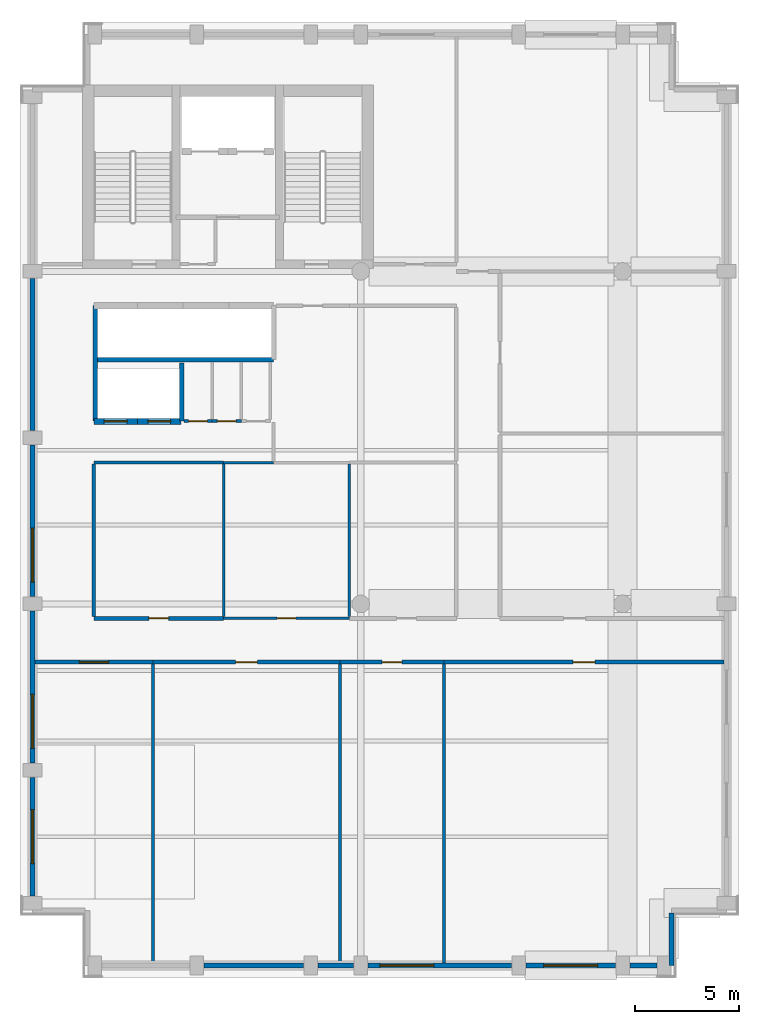
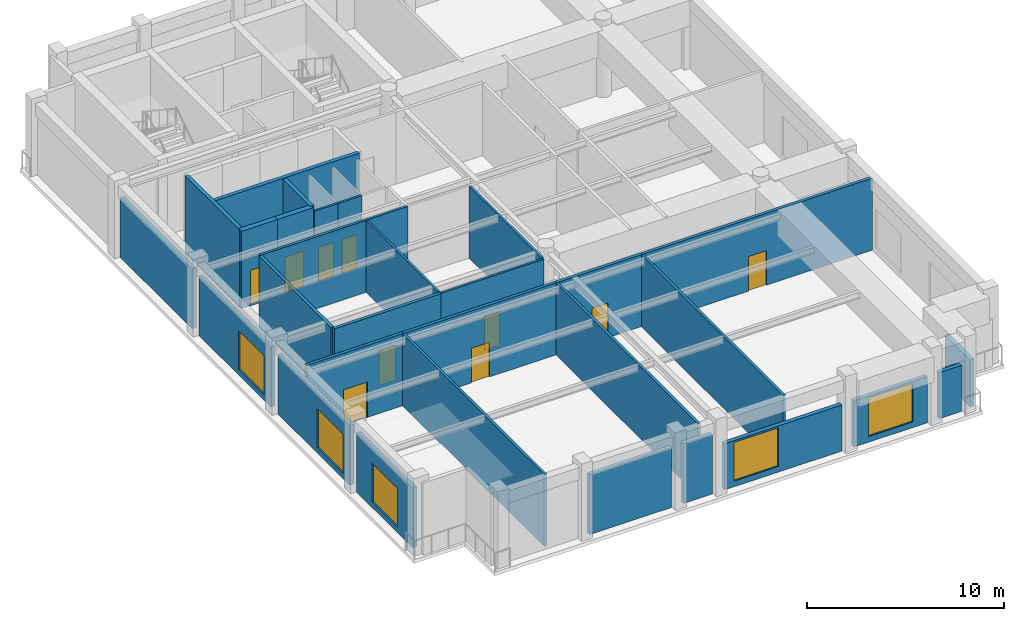
# One storey, part 2 of 6: 31 walls, 10 doors, 5 windows, 15 openings.
"""IFC4 building model written with IfcOpenShell, lengths in metres."""

from ifc_helpers import new_model, si_unit, direction, frame, frame_2d, origin, place, context, subcontext, project, spatial, rectangle, extrude, material, layer, layer_set, type_object, element, fill, save


model = new_model("IFC4")

# Units and contexts
model_context = context("Model", 3, precision=1e-05, world=origin(), true_north=direction((0.0, 1.0)))
body_context = subcontext(model_context, "Body", "Model", "MODEL_VIEW")
ifc_project = project(units=[si_unit("LENGTHUNIT", "METRE"), si_unit("AREAUNIT", "SQUARE_METRE"), si_unit("VOLUMEUNIT", "CUBIC_METRE"), si_unit("PLANEANGLEUNIT", "RADIAN"), si_unit("MASSUNIT", "GRAM", prefix="KILO")], contexts=[model_context])

# Site, building, storey
site_placement = place(None, origin())
site = spatial("IfcSite", under=ifc_project, at=site_placement, CompositionType="ELEMENT")
building_placement = place(site_placement, origin())
building = spatial("IfcBuilding", under=site, at=building_placement, Name="Sulina Concourse Tower", CompositionType="ELEMENT")
storey_placement = place(building_placement, frame((0.0, 0.0, 313.0)))
storey = spatial("IfcBuildingStorey", under=building, at=storey_placement, Name="L76", CompositionType="ELEMENT", Elevation=313.0)

# Walls
ifc_material_1 = material(Name="Concrete C50/60", Category="concrete")
ifc_layer_1 = layer(ifc_material_1, 0.219970703125)
ifc_layer_set_1 = layer_set([ifc_layer_1], Name="Concrete C50/60")
wall_type_1 = type_object("IfcWallType", Name="Core Lift Hoistway Divider Wall 220mm", PredefinedType="SOLIDWALL", material=ifc_layer_set_1)
wall_1_placement = place(storey_placement, frame((3.550048828125, 29.75, 0.0), z_axis=(0.0, 0.0, 1.0), x_axis=(1.0, 0.0, 0.0)))
element("IfcWall", 1, at=wall_1_placement, inside=storey, type_object=wall_type_1, Name="L76 shaft divider wall HW-LP3-S", PredefinedType="SOLIDWALL", context=body_context, shape_type="SweptSolid", body=[
    extrude(rectangle(XDim=8.64990234375, YDim=0.219970703125, at=frame_2d((4.324951171875, 0.0))), origin(), (0.0, 0.0, 1.0), 4.800048828125),
])
wall_2_placement = place(storey_placement, frame((3.6298828125, 26.800048828125, 0.0), z_axis=(0.0, 0.0, 1.0), x_axis=(0.0, 1.0, 0.0)))
element("IfcWall", 2, at=wall_2_placement, inside=storey, type_object=wall_type_1, Name="L76 shaft divider wall HW-LP3-W", PredefinedType="SOLIDWALL", context=body_context, shape_type="SweptSolid", body=[
    extrude(rectangle(XDim=5.550048828125, YDim=0.219970703125, at=frame_2d((2.77490234375, 0.0))), origin(), (0.0, 0.0, 1.0), 4.800048828125),
])
wall_3_placement = place(storey_placement, frame((7.780029296875, 26.800048828125, 0.0), z_axis=(0.0, 0.0, 1.0), x_axis=(0.0, 1.0, 0.0)))
element("IfcWall", 3, at=wall_3_placement, inside=storey, type_object=wall_type_1, Name="L76 shaft divider wall HW-EXP-E", PredefinedType="SOLIDWALL", context=body_context, shape_type="SweptSolid", body=[
    extrude(rectangle(XDim=2.800048828125, YDim=0.219970703125, at=frame_2d((1.39990234375, 0.0))), origin(), (0.0, 0.0, 1.0), 4.800048828125),
])

# Wall, opening, door
ifc_material_2 = material(Name="Concrete C50/60", Category="concrete")
ifc_layer_2 = layer(ifc_material_2, 0.300048828125)
ifc_layer_set_2 = layer_set([ifc_layer_2], Name="Concrete C50/60")
wall_type_2 = type_object("IfcWallType", Name="Core Lift Hoistway Wall 300mm", PredefinedType="SOLIDWALL", material=ifc_layer_set_2)
wall_4_placement = place(storey_placement, frame((5.64990234375, 26.780029296875, 0.0), z_axis=(0.0, 0.0, 1.0), x_axis=(-1.0, 0.0, 0.0)))
wall_4 = element("IfcWall", 4, at=wall_4_placement, inside=storey, type_object=wall_type_2, Name="L76 hoistway enclosure wall EXP-1", PredefinedType="SOLIDWALL", context=body_context, shape_type="SweptSolid", body=[
    extrude(rectangle(XDim=2.099853515625, YDim=0.300048828125, at=frame_2d((1.0498046875, 0.0))), origin(), (0.0, 0.0, 1.0), 4.800048828125),
])
opening_1_placement = place(wall_4_placement, frame((0.5, 0.0, 0.0)))
opening_1 = element("IfcOpeningElement", 5, at=opening_1_placement, cuts=wall_4, Name="Opening LD-01", PredefinedType="OPENING", context=body_context, shape_type="SweptSolid", body=[
    extrude(rectangle(XDim=1.10009765625, YDim=2.199951171875, at=frame_2d((0.550048828125, 1.10009765625))), frame((0.0, 0.159912109375, 0.0), z_axis=(0.0, -1.0, 0.0), x_axis=(1.0, 0.0, 0.0)), (0.0, 0.0, 1.0), 0.320068359375),
])
ifc_material_3 = material(Name="Stainless steel lift landing door", Category="steel")
ifc_layer_3 = layer(ifc_material_3, 0.050048828125)
ifc_layer_set_3 = layer_set([ifc_layer_3], Name="Stainless steel lift landing door")
door_type_1 = type_object("IfcDoorType", Name="Passenger Lift Sliding Landing Door 1100x2200", OperationType="SLIDING_TO_LEFT", PredefinedType="DOOR", material=ifc_layer_set_3)
door_1_placement = place(opening_1_placement, origin())
door_1 = element("IfcDoor", 6, at=door_1_placement, inside=storey, type_object=door_type_1, Name="L76 lift landing sliding door EXP-1", OperationType="SLIDING_TO_LEFT", OverallHeight=2.199951171875, OverallWidth=1.10009765625, PredefinedType="DOOR", context=body_context, shape_type="SweptSolid", body=[
    extrude(rectangle(XDim=1.10009765625, YDim=2.199951171875, at=frame_2d((0.550048828125, 1.10009765625))), frame((0.0, 0.02490234375, 0.0), z_axis=(0.0, -1.0, 0.0), x_axis=(1.0, 0.0, 0.0)), (0.0, 0.0, 1.0), 0.050048828125),
])
fill(opening_1, door_1)

wall_5_placement = place(storey_placement, frame((7.75, 26.780029296875, 0.0), z_axis=(0.0, 0.0, 1.0), x_axis=(-1.0, 0.0, 0.0)))
wall_5 = element("IfcWall", 7, at=wall_5_placement, inside=storey, type_object=wall_type_2, Name="L76 hoistway enclosure wall EXP-2", PredefinedType="SOLIDWALL", context=body_context, shape_type="SweptSolid", body=[
    extrude(rectangle(XDim=2.10009765625, YDim=0.300048828125, at=frame_2d((1.050048828125, 0.0))), origin(), (0.0, 0.0, 1.0), 4.800048828125),
])
opening_2_placement = place(wall_5_placement, frame((0.5, 0.0, 0.0)))
opening_2 = element("IfcOpeningElement", 8, at=opening_2_placement, cuts=wall_5, Name="Opening LD-01", PredefinedType="OPENING", context=body_context, shape_type="SweptSolid", body=[
    extrude(rectangle(XDim=1.10009765625, YDim=2.199951171875, at=frame_2d((0.550048828125, 1.10009765625))), frame((0.0, 0.159912109375, 0.0), z_axis=(0.0, -1.0, 0.0), x_axis=(1.0, 0.0, 0.0)), (0.0, 0.0, 1.0), 0.320068359375),
])
door_2_placement = place(opening_2_placement, origin())
door_2 = element("IfcDoor", 9, at=door_2_placement, inside=storey, type_object=door_type_1, Name="L76 lift landing sliding door EXP-2", OperationType="SLIDING_TO_RIGHT", OverallHeight=2.199951171875, OverallWidth=1.10009765625, PredefinedType="DOOR", context=body_context, shape_type="SweptSolid", body=[
    extrude(rectangle(XDim=1.10009765625, YDim=2.199951171875, at=frame_2d((0.550048828125, 1.10009765625))), frame((0.0, 0.02490234375, 0.0), z_axis=(0.0, -1.0, 0.0), x_axis=(1.0, 0.0, 0.0)), (0.0, 0.0, 1.0), 0.050048828125),
])
fill(opening_2, door_2)

# Walls
ifc_material_4 = material(Name="Precast concrete C50/60", Category="concrete")
ifc_layer_4 = layer(ifc_material_4, 0.239990234375)
ifc_layer_set_4 = layer_set([ifc_layer_4], Name="Precast concrete C50/60")
wall_type_3 = type_object("IfcWallType", Name="Crown Precast Masonry-Frame Facade Wall 240mm", PredefinedType="SOLIDWALL", material=ifc_layer_set_4)
wall_6_placement = place(storey_placement, frame((13.655029296875, 0.60009765625, 0.0), z_axis=(0.0, 0.0, 1.0), x_axis=(-1.0, 0.0, 0.0)))
element("IfcWall", 10, at=wall_6_placement, inside=storey, type_object=wall_type_3, Name="L76 exterior precast wall S2", PredefinedType="SOLIDWALL", context=body_context, shape_type="SweptSolid", body=[
    extrude(rectangle(XDim=4.81005859375, YDim=0.239990234375, at=frame_2d((2.405029296875, 0.0))), origin(), (0.0, 0.0, 1.0), 3.7099609375),
])
wall_7_placement = place(storey_placement, frame((16.054931640625, 0.60009765625, 0.0), z_axis=(0.0, 0.0, 1.0), x_axis=(-1.0, 0.0, 0.0)))
element("IfcWall", 11, at=wall_7_placement, inside=storey, type_object=wall_type_3, Name="L76 exterior precast wall S3", PredefinedType="SOLIDWALL", context=body_context, shape_type="SweptSolid", body=[
    extrude(rectangle(XDim=1.7099609375, YDim=0.239990234375, at=frame_2d((0.85498046875, 0.0))), origin(), (0.0, 0.0, 1.0), 3.7099609375),
])

# Wall, opening, window
wall_8_placement = place(storey_placement, frame((23.655029296875, 0.60009765625, 0.0), z_axis=(0.0, 0.0, 1.0), x_axis=(-1.0, 0.0, 0.0)))
wall_8 = element("IfcWall", 12, at=wall_8_placement, inside=storey, type_object=wall_type_3, Name="L76 exterior precast wall S4", PredefinedType="SOLIDWALL", context=body_context, shape_type="SweptSolid", body=[
    extrude(rectangle(XDim=6.909912109375, YDim=0.239990234375, at=frame_2d((3.455078125, 0.0))), origin(), (0.0, 0.0, 1.0), 2.860107421875),
])
opening_3_placement = place(wall_8_placement, frame((3.739990234375, 0.0, 0.35009765625)))
opening_3 = element("IfcOpeningElement", 13, at=opening_3_placement, cuts=wall_8, Name="Opening WN-68", PredefinedType="OPENING", context=body_context, shape_type="SweptSolid", body=[
    extrude(rectangle(XDim=2.60009765625, YDim=2.39990234375, at=frame_2d((1.300048828125, 1.199951171875))), frame((0.0, 0.1298828125, 0.0), z_axis=(0.0, -1.0, 0.0), x_axis=(1.0, 0.0, 0.0)), (0.0, 0.0, 1.0), 0.260009765625),
])
ifc_material_5 = material(Name="Low-E solar double glazing in bronze aluminium", Category="aluminium")
window_type = type_object("IfcWindowType", Name="Crown Observation Picture Window 2600x2400", PartitioningType="DOUBLE_PANEL_VERTICAL", PredefinedType="WINDOW", material=ifc_material_5)
window_1_placement = place(opening_3_placement, origin())
window_1 = element("IfcWindow", 14, at=window_1_placement, inside=storey, type_object=window_type, Name="L76 punched window S4-1", OverallHeight=2.39990234375, OverallWidth=2.60009765625, PartitioningType="SINGLE_PANEL", PredefinedType="WINDOW", context=body_context, shape_type="SweptSolid", body=[
    extrude(rectangle(XDim=2.60009765625, YDim=2.39990234375, at=frame_2d((1.300048828125, 1.199951171875))), frame((0.0, 0.030029296875, 0.0), z_axis=(0.0, -1.0, 0.0), x_axis=(1.0, 0.0, 0.0)), (0.0, 0.0, 1.0), 0.06005859375),
])
fill(opening_3, window_1)

wall_9_placement = place(storey_placement, frame((28.655029296875, 0.60009765625, 0.0), z_axis=(0.0, 0.0, 1.0), x_axis=(-1.0, 0.0, 0.0)))
wall_9 = element("IfcWall", 15, at=wall_9_placement, inside=storey, type_object=wall_type_3, Name="L76 exterior precast wall S5", PredefinedType="SOLIDWALL", context=body_context, shape_type="SweptSolid", body=[
    extrude(rectangle(XDim=4.31005859375, YDim=0.239990234375, at=frame_2d((2.155029296875, 0.0))), origin(), (0.0, 0.0, 1.0), 2.860107421875),
])
opening_4_placement = place(wall_9_placement, frame((0.85498046875, 0.0, 0.35009765625)))
opening_4 = element("IfcOpeningElement", 16, at=opening_4_placement, cuts=wall_9, Name="Opening WN-68", PredefinedType="OPENING", context=body_context, shape_type="SweptSolid", body=[
    extrude(rectangle(XDim=2.60009765625, YDim=2.39990234375, at=frame_2d((1.300048828125, 1.199951171875))), frame((0.0, 0.1298828125, 0.0), z_axis=(0.0, -1.0, 0.0), x_axis=(1.0, 0.0, 0.0)), (0.0, 0.0, 1.0), 0.260009765625),
])
window_2_placement = place(opening_4_placement, origin())
window_2 = element("IfcWindow", 17, at=window_2_placement, inside=storey, type_object=window_type, Name="L76 punched window S5-1", OverallHeight=2.39990234375, OverallWidth=2.60009765625, PartitioningType="SINGLE_PANEL", PredefinedType="WINDOW", context=body_context, shape_type="SweptSolid", body=[
    extrude(rectangle(XDim=2.60009765625, YDim=2.39990234375, at=frame_2d((1.300048828125, 1.199951171875))), frame((0.0, 0.030029296875, 0.0), z_axis=(0.0, -1.0, 0.0), x_axis=(1.0, 0.0, 0.0)), (0.0, 0.0, 1.0), 0.06005859375),
])
fill(opening_4, window_2)

# Wall
wall_10_placement = place(storey_placement, frame((30.655029296875, 0.60009765625, 0.0), z_axis=(0.0, 0.0, 1.0), x_axis=(-1.0, 0.0, 0.0)))
element("IfcWall", 18, at=wall_10_placement, inside=storey, type_object=wall_type_3, Name="L76 exterior precast wall S6", PredefinedType="SOLIDWALL", context=body_context, shape_type="SweptSolid", body=[
    extrude(rectangle(XDim=1.31005859375, YDim=0.239990234375, at=frame_2d((0.655029296875, 0.0))), origin(), (0.0, 0.0, 1.0), 2.860107421875),
])

# Wall, opening, window
wall_11_placement = place(storey_placement, frame((0.60009765625, 3.945068359375, 0.0), z_axis=(0.0, 0.0, 1.0), x_axis=(0.0, 1.0, 0.0)))
wall_11 = element("IfcWall", 19, at=wall_11_placement, inside=storey, type_object=wall_type_3, Name="L76 exterior precast wall W1", PredefinedType="SOLIDWALL", context=body_context, shape_type="SweptSolid", body=[
    extrude(rectangle(XDim=5.7099609375, YDim=0.239990234375, at=frame_2d((2.85498046875, 0.0))), origin(), (0.0, 0.0, 1.0), 3.7099609375),
])
opening_5_placement = place(wall_11_placement, frame((1.554931640625, 0.0, 0.35009765625)))
opening_5 = element("IfcOpeningElement", 20, at=opening_5_placement, cuts=wall_11, Name="Opening WN-68", PredefinedType="OPENING", context=body_context, shape_type="SweptSolid", body=[
    extrude(rectangle(XDim=2.60009765625, YDim=2.39990234375, at=frame_2d((1.300048828125, 1.199951171875))), frame((0.0, 0.1298828125, 0.0), z_axis=(0.0, -1.0, 0.0), x_axis=(1.0, 0.0, 0.0)), (0.0, 0.0, 1.0), 0.260009765625),
])
window_3_placement = place(opening_5_placement, origin())
window_3 = element("IfcWindow", 21, at=window_3_placement, inside=storey, type_object=window_type, Name="L76 punched window W1-1", OverallHeight=2.39990234375, OverallWidth=2.60009765625, PartitioningType="SINGLE_PANEL", PredefinedType="WINDOW", context=body_context, shape_type="SweptSolid", body=[
    extrude(rectangle(XDim=2.60009765625, YDim=2.39990234375, at=frame_2d((1.300048828125, 1.199951171875))), frame((0.0, 0.030029296875, 0.0), z_axis=(0.0, -1.0, 0.0), x_axis=(1.0, 0.0, 0.0)), (0.0, 0.0, 1.0), 0.06005859375),
])
fill(opening_5, window_3)

wall_12_placement = place(storey_placement, frame((0.60009765625, 10.344970703125, 0.0), z_axis=(0.0, 0.0, 1.0), x_axis=(0.0, 1.0, 0.0)))
wall_12 = element("IfcWall", 22, at=wall_12_placement, inside=storey, type_object=wall_type_3, Name="L76 exterior precast wall W2", PredefinedType="SOLIDWALL", context=body_context, shape_type="SweptSolid", body=[
    extrude(rectangle(XDim=7.31005859375, YDim=0.239990234375, at=frame_2d((3.655029296875, 0.0))), origin(), (0.0, 0.0, 1.0), 3.7099609375),
])
opening_6_placement = place(wall_12_placement, frame((0.703369140625, 0.0, 0.35009765625)))
opening_6 = element("IfcOpeningElement", 23, at=opening_6_placement, cuts=wall_12, Name="Opening WN-68", PredefinedType="OPENING", context=body_context, shape_type="SweptSolid", body=[
    extrude(rectangle(XDim=2.60009765625, YDim=2.39990234375, at=frame_2d((1.300048828125, 1.199951171875))), frame((0.0, 0.1298828125, 0.0), z_axis=(0.0, -1.0, 0.0), x_axis=(1.0, 0.0, 0.0)), (0.0, 0.0, 1.0), 0.260009765625),
])
window_4_placement = place(opening_6_placement, origin())
window_4 = element("IfcWindow", 24, at=window_4_placement, inside=storey, type_object=window_type, Name="L76 punched window W2-1", OverallHeight=2.39990234375, OverallWidth=2.60009765625, PartitioningType="SINGLE_PANEL", PredefinedType="WINDOW", context=body_context, shape_type="SweptSolid", body=[
    extrude(rectangle(XDim=2.60009765625, YDim=2.39990234375, at=frame_2d((1.300048828125, 1.199951171875))), frame((0.0, 0.030029296875, 0.0), z_axis=(0.0, -1.0, 0.0), x_axis=(1.0, 0.0, 0.0)), (0.0, 0.0, 1.0), 0.06005859375),
])
fill(opening_6, window_4)

wall_13_placement = place(storey_placement, frame((0.60009765625, 18.344970703125, 0.0), z_axis=(0.0, 0.0, 1.0), x_axis=(0.0, 1.0, 0.0)))
wall_13 = element("IfcWall", 25, at=wall_13_placement, inside=storey, type_object=wall_type_3, Name="L76 exterior precast wall W3", PredefinedType="SOLIDWALL", context=body_context, shape_type="SweptSolid", body=[
    extrude(rectangle(XDim=7.31005859375, YDim=0.239990234375, at=frame_2d((3.655029296875, 0.0))), origin(), (0.0, 0.0, 1.0), 3.7099609375),
])
opening_7_placement = place(wall_13_placement, frame((0.703369140625, 0.0, 0.35009765625)))
opening_7 = element("IfcOpeningElement", 26, at=opening_7_placement, cuts=wall_13, Name="Opening WN-68", PredefinedType="OPENING", context=body_context, shape_type="SweptSolid", body=[
    extrude(rectangle(XDim=2.60009765625, YDim=2.39990234375, at=frame_2d((1.300048828125, 1.199951171875))), frame((0.0, 0.1298828125, 0.0), z_axis=(0.0, -1.0, 0.0), x_axis=(1.0, 0.0, 0.0)), (0.0, 0.0, 1.0), 0.260009765625),
])
window_5_placement = place(opening_7_placement, origin())
window_5 = element("IfcWindow", 27, at=window_5_placement, inside=storey, type_object=window_type, Name="L76 punched window W3-1", OverallHeight=2.39990234375, OverallWidth=2.60009765625, PartitioningType="SINGLE_PANEL", PredefinedType="WINDOW", context=body_context, shape_type="SweptSolid", body=[
    extrude(rectangle(XDim=2.60009765625, YDim=2.39990234375, at=frame_2d((1.300048828125, 1.199951171875))), frame((0.0, 0.030029296875, 0.0), z_axis=(0.0, -1.0, 0.0), x_axis=(1.0, 0.0, 0.0)), (0.0, 0.0, 1.0), 0.06005859375),
])
fill(opening_7, window_5)

# Walls
wall_14_placement = place(storey_placement, frame((0.60009765625, 26.344970703125, 0.0), z_axis=(0.0, 0.0, 1.0), x_axis=(0.0, 1.0, 0.0)))
element("IfcWall", 28, at=wall_14_placement, inside=storey, type_object=wall_type_3, Name="L76 exterior precast wall W4", PredefinedType="SOLIDWALL", context=body_context, shape_type="SweptSolid", body=[
    extrude(rectangle(XDim=7.31005859375, YDim=0.239990234375, at=frame_2d((3.655029296875, 0.0))), origin(), (0.0, 0.0, 1.0), 3.7099609375),
])
wall_15_placement = place(storey_placement, frame((31.344970703125, 3.1298828125, 0.0), z_axis=(0.0, 0.0, 1.0), x_axis=(0.0, -1.0, 0.0)))
element("IfcWall", 29, at=wall_15_placement, inside=storey, type_object=wall_type_3, Name="L76 exterior precast wall CSE2", PredefinedType="SOLIDWALL", context=body_context, shape_type="SweptSolid", body=[
    extrude(rectangle(XDim=2.52978515625, YDim=0.239990234375, at=frame_2d((1.264892578125, 0.0))), origin(), (0.0, 0.0, 1.0), 2.929931640625),
])
ifc_material_6 = material(Name="Gypsum board on steel stud", Category="steel")
ifc_layer_5 = layer(ifc_material_6, 0.14990234375)
ifc_layer_set_5 = layer_set([ifc_layer_5], Name="Gypsum board on steel stud")
wall_type_4 = type_object("IfcWallType", Name="Inter-Tenancy Acoustic Partition 150mm", PredefinedType="PARTITIONING", material=ifc_layer_set_5)
wall_16_placement = place(storey_placement, frame((3.550048828125, 24.800048828125, 0.0), z_axis=(0.0, 0.0, 1.0), x_axis=(1.0, 0.0, 0.0)))
element("IfcWall", 30, at=wall_16_placement, inside=storey, type_object=wall_type_4, Name="L76 interior partition 009", PredefinedType="PARTITIONING", context=body_context, shape_type="SweptSolid", body=[
    extrude(rectangle(XDim=6.25, YDim=0.14990234375, at=frame_2d((3.125, 0.0))), origin(), (0.0, 0.0, 1.0), 4.4599609375),
])
for number, where, z_axis, x_axis, name in (
    (31, (6.39990234375, 0.719970703125, 0.0), (0.0, 0.0, 1.0), (0.0, 1.0, 0.0), "L76 interior partition 026"),
    (32, (15.39990234375, 0.719970703125, 0.0), (0.0, 0.0, 1.0), (0.0, 1.0, 0.0), "L76 interior partition 033"),
    (33, (20.39990234375, 0.719970703125, 0.0), (0.0, 0.0, 1.0), (0.0, 1.0, 0.0), "L76 interior partition 035"),
):
    element("IfcWall", number, at=place(storey_placement, frame(where, z_axis=z_axis, x_axis=x_axis)), inside=storey, type_object=wall_type_4, Name=name, PredefinedType="PARTITIONING", context=body_context, shape_type="SweptSolid", body=[
        extrude(rectangle(XDim=14.39013671875, YDim=0.14990234375, at=frame_2d((7.195068359375, 0.0))), origin(), (0.0, 0.0, 1.0), 4.4599609375),
    ])

# Wall, opening, door
ifc_material_7 = material(Name="Gypsum board on steel stud", Category="steel")
ifc_layer_6 = layer(ifc_material_7, 0.179931640625)
ifc_layer_set_6 = layer_set([ifc_layer_6], Name="Gypsum board on steel stud")
wall_type_5 = type_object("IfcWallType", Name="Protected Corridor & Riser Partition 180mm", PredefinedType="PARTITIONING", material=ifc_layer_set_6)
wall_17_placement = place(storey_placement, frame((0.719970703125, 15.199951171875, 0.0), z_axis=(0.0, 0.0, 1.0), x_axis=(1.0, 0.0, 0.0)))
wall_17 = element("IfcWall", 34, at=wall_17_placement, inside=storey, type_object=wall_type_5, Name="L76 interior partition 001", PredefinedType="PARTITIONING", context=body_context, shape_type="SweptSolid", body=[
    extrude(rectangle(XDim=5.679931640625, YDim=0.179931640625, at=frame_2d((2.83984375, 0.0))), origin(), (0.0, 0.0, 1.0), 4.4599609375),
])
opening_8_placement = place(wall_17_placement, frame((2.139892578125, 0.0, 0.0)))
opening_8 = element("IfcOpeningElement", 35, at=opening_8_placement, cuts=wall_17, Name="Opening DR-57", PredefinedType="OPENING", context=body_context, shape_type="SweptSolid", body=[
    extrude(rectangle(XDim=1.39990234375, YDim=2.199951171875, at=frame_2d((0.699951171875, 1.10009765625))), frame((0.0, 0.099853515625, 0.0), z_axis=(0.0, -1.0, 0.0), x_axis=(1.0, 0.0, 0.0)), (0.0, 0.0, 1.0), 0.199951171875),
])
ifc_material_8 = material(Name="Oak-veneered fire door leaf")
ifc_layer_7 = layer(ifc_material_8, 0.054931640625)
ifc_layer_set_7 = layer_set([ifc_layer_7], Name="Oak-veneered fire door leaf")
door_type_2 = type_object("IfcDoorType", Name="Core Lift Lobby Double Fire Door 1400x2200", OperationType="DOUBLE_DOOR_SINGLE_SWING", PredefinedType="DOOR", material=ifc_layer_set_7)
door_3_placement = place(opening_8_placement, origin())
door_3 = element("IfcDoor", 36, at=door_3_placement, inside=storey, type_object=door_type_2, Name="L76 interior door L76-OBS-S", OperationType="DOUBLE_DOOR_SINGLE_SWING", OverallHeight=2.199951171875, OverallWidth=1.39990234375, PredefinedType="DOOR", context=body_context, shape_type="SweptSolid", body=[
    extrude(rectangle(XDim=1.39990234375, YDim=2.199951171875, at=frame_2d((0.699951171875, 1.10009765625))), frame((0.0, 0.02490234375, 0.0), z_axis=(0.0, -1.0, 0.0), x_axis=(1.0, 0.0, 0.0)), (0.0, 0.0, 1.0), 0.050048828125),
])
fill(opening_8, door_3)

wall_18_placement = place(storey_placement, frame((6.39990234375, 15.199951171875, 0.0), z_axis=(0.0, 0.0, 1.0), x_axis=(1.0, 0.0, 0.0)))
wall_18 = element("IfcWall", 37, at=wall_18_placement, inside=storey, type_object=wall_type_5, Name="L76 interior partition 002", PredefinedType="PARTITIONING", context=body_context, shape_type="SweptSolid", body=[
    extrude(rectangle(XDim=9.0, YDim=0.179931640625, at=frame_2d((4.5, 0.0))), origin(), (0.0, 0.0, 1.0), 4.4599609375),
])
opening_9_placement = place(wall_18_placement, frame((3.97509765625, 0.0, 0.0)))
opening_9 = element("IfcOpeningElement", 38, at=opening_9_placement, cuts=wall_18, Name="Opening DR-37", PredefinedType="OPENING", context=body_context, shape_type="SweptSolid", body=[
    extrude(rectangle(XDim=1.050048828125, YDim=2.14990234375, at=frame_2d((0.52490234375, 1.074951171875))), frame((0.0, 0.099853515625, 0.0), z_axis=(0.0, -1.0, 0.0), x_axis=(1.0, 0.0, 0.0)), (0.0, 0.0, 1.0), 0.199951171875),
])
ifc_material_9 = material(Name="Oak-veneered fire door leaf")
ifc_layer_8 = layer(ifc_material_9, 0.050048828125)
ifc_layer_set_8 = layer_set([ifc_layer_8], Name="Oak-veneered fire door leaf")
door_type_3 = type_object("IfcDoorType", Name="Tenant Suite Entrance Fire Door 1050x2150", OperationType="NOTDEFINED", PredefinedType="DOOR", material=ifc_layer_set_8)
door_4_placement = place(opening_9_placement, origin())
door_4 = element("IfcDoor", 39, at=door_4_placement, inside=storey, type_object=door_type_3, Name="L76 interior door L76-CAFE-OB", OperationType="SINGLE_SWING_RIGHT", OverallHeight=2.14990234375, OverallWidth=1.050048828125, PredefinedType="DOOR", context=body_context, shape_type="SweptSolid", body=[
    extrude(rectangle(XDim=1.050048828125, YDim=2.14990234375, at=frame_2d((0.52490234375, 1.074951171875))), frame((0.0, 0.02490234375, 0.0), z_axis=(0.0, -1.0, 0.0), x_axis=(1.0, 0.0, 0.0)), (0.0, 0.0, 1.0), 0.050048828125),
])
fill(opening_9, door_4)

wall_19_placement = place(storey_placement, frame((15.39990234375, 15.199951171875, 0.0), z_axis=(0.0, 0.0, 1.0), x_axis=(1.0, 0.0, 0.0)))
wall_19 = element("IfcWall", 40, at=wall_19_placement, inside=storey, type_object=wall_type_5, Name="L76 interior partition 003", PredefinedType="PARTITIONING", context=body_context, shape_type="SweptSolid", body=[
    extrude(rectangle(XDim=5.0, YDim=0.179931640625, at=frame_2d((2.5, 0.0))), origin(), (0.0, 0.0, 1.0), 4.4599609375),
])
opening_10_placement = place(wall_19_placement, frame((2.02490234375, 0.0, 0.0)))
opening_10 = element("IfcOpeningElement", 41, at=opening_10_placement, cuts=wall_19, Name="Opening DR-19", PredefinedType="OPENING", context=body_context, shape_type="SweptSolid", body=[
    extrude(rectangle(XDim=0.949951171875, YDim=2.14990234375, at=frame_2d((0.47509765625, 1.074951171875))), frame((0.0, 0.099853515625, 0.0), z_axis=(0.0, -1.0, 0.0), x_axis=(1.0, 0.0, 0.0)), (0.0, 0.0, 1.0), 0.199951171875),
])
ifc_material_10 = material(Name="Oak-veneered acoustic timber leaf", Category="wood")
ifc_layer_9 = layer(ifc_material_10, 0.050048828125)
ifc_layer_set_9 = layer_set([ifc_layer_9], Name="Oak-veneered acoustic timber leaf")
door_type_4 = type_object("IfcDoorType", Name="Cellular Office & Meeting Door 950x2150", OperationType="NOTDEFINED", PredefinedType="DOOR", material=ifc_layer_set_9)
door_5_placement = place(opening_10_placement, origin())
door_5 = element("IfcDoor", 42, at=door_5_placement, inside=storey, type_object=door_type_4, Name="L76 interior door L76-OFF-OBS", OperationType="SINGLE_SWING_LEFT", OverallHeight=2.14990234375, OverallWidth=0.949951171875, PredefinedType="DOOR", context=body_context, shape_type="SweptSolid", body=[
    extrude(rectangle(XDim=0.949951171875, YDim=2.14990234375, at=frame_2d((0.47509765625, 1.074951171875))), frame((0.0, 0.02490234375, 0.0), z_axis=(0.0, -1.0, 0.0), x_axis=(1.0, 0.0, 0.0)), (0.0, 0.0, 1.0), 0.050048828125),
])
fill(opening_10, door_5)

wall_20_placement = place(storey_placement, frame((20.39990234375, 15.199951171875, 0.0), z_axis=(0.0, 0.0, 1.0), x_axis=(1.0, 0.0, 0.0)))
wall_20 = element("IfcWall", 43, at=wall_20_placement, inside=storey, type_object=wall_type_5, Name="L76 interior partition 004", PredefinedType="PARTITIONING", context=body_context, shape_type="SweptSolid", body=[
    extrude(rectangle(XDim=13.47998046875, YDim=0.179931640625, at=frame_2d((6.739990234375, 0.0))), origin(), (0.0, 0.0, 1.0), 4.4599609375),
])
opening_11_placement = place(wall_20_placement, frame((6.215087890625, 0.0, 0.0)))
opening_11 = element("IfcOpeningElement", 44, at=opening_11_placement, cuts=wall_20, Name="Opening DR-37", PredefinedType="OPENING", context=body_context, shape_type="SweptSolid", body=[
    extrude(rectangle(XDim=1.050048828125, YDim=2.14990234375, at=frame_2d((0.52490234375, 1.074951171875))), frame((0.0, 0.099853515625, 0.0), z_axis=(0.0, -1.0, 0.0), x_axis=(1.0, 0.0, 0.0)), (0.0, 0.0, 1.0), 0.199951171875),
])
door_6_placement = place(opening_11_placement, origin())
door_6 = element("IfcDoor", 45, at=door_6_placement, inside=storey, type_object=door_type_3, Name="L76 interior door L76-KIT-OB", OperationType="SINGLE_SWING_RIGHT", OverallHeight=2.14990234375, OverallWidth=1.050048828125, PredefinedType="DOOR", context=body_context, shape_type="SweptSolid", body=[
    extrude(rectangle(XDim=1.050048828125, YDim=2.14990234375, at=frame_2d((0.52490234375, 1.074951171875))), frame((0.0, 0.02490234375, 0.0), z_axis=(0.0, -1.0, 0.0), x_axis=(1.0, 0.0, 0.0)), (0.0, 0.0, 1.0), 0.050048828125),
])
fill(opening_11, door_6)

wall_21_placement = place(storey_placement, frame((3.550048828125, 17.300048828125, 0.0), z_axis=(0.0, 0.0, 1.0), x_axis=(1.0, 0.0, 0.0)))
wall_21 = element("IfcWall", 46, at=wall_21_placement, inside=storey, type_object=wall_type_5, Name="L76 interior partition 005", PredefinedType="PARTITIONING", context=body_context, shape_type="SweptSolid", body=[
    extrude(rectangle(XDim=6.25, YDim=0.179931640625, at=frame_2d((3.125, 0.0))), origin(), (0.0, 0.0, 1.0), 4.4599609375),
])
opening_12_placement = place(wall_21_placement, frame((2.64990234375, 0.0, 0.0)))
opening_12 = element("IfcOpeningElement", 47, at=opening_12_placement, cuts=wall_21, Name="Opening DR-19", PredefinedType="OPENING", context=body_context, shape_type="SweptSolid", body=[
    extrude(rectangle(XDim=0.949951171875, YDim=2.14990234375, at=frame_2d((0.47509765625, 1.074951171875))), frame((0.0, 0.099853515625, 0.0), z_axis=(0.0, -1.0, 0.0), x_axis=(1.0, 0.0, 0.0)), (0.0, 0.0, 1.0), 0.199951171875),
])
door_7_placement = place(opening_12_placement, origin())
door_7 = element("IfcDoor", 48, at=door_7_placement, inside=storey, type_object=door_type_4, Name="L76 interior door L76-LR-MRG1", OperationType="SINGLE_SWING_LEFT", OverallHeight=2.14990234375, OverallWidth=0.949951171875, PredefinedType="DOOR", context=body_context, shape_type="SweptSolid", body=[
    extrude(rectangle(XDim=0.949951171875, YDim=2.14990234375, at=frame_2d((0.47509765625, 1.074951171875))), frame((0.0, 0.02490234375, 0.0), z_axis=(0.0, -1.0, 0.0), x_axis=(1.0, 0.0, 0.0)), (0.0, 0.0, 1.0), 0.050048828125),
])
fill(opening_12, door_7)

# Wall
wall_22_placement = place(storey_placement, frame((3.550048828125, 17.389892578125, 0.0), z_axis=(0.0, 0.0, 1.0), x_axis=(0.0, 1.0, 0.0)))
element("IfcWall", 49, at=wall_22_placement, inside=storey, type_object=wall_type_5, Name="L76 interior partition 025", PredefinedType="PARTITIONING", context=body_context, shape_type="SweptSolid", body=[
    extrude(rectangle(XDim=7.335205078125, YDim=0.179931640625, at=frame_2d((3.66748046875, 0.0))), origin(), (0.0, 0.0, 1.0), 4.4599609375),
])

# Wall, opening, door
ifc_material_11 = material(Name="Gypsum board on steel stud", Category="steel")
ifc_layer_10 = layer(ifc_material_11, 0.125)
ifc_layer_set_10 = layer_set([ifc_layer_10], Name="Gypsum board on steel stud")
wall_type_6 = type_object("IfcWallType", Name="Wet-Area Moisture-Resistant Partition 125mm", PredefinedType="PARTITIONING", material=ifc_layer_set_10)
wall_23_placement = place(storey_placement, frame((9.800048828125, 17.300048828125, 0.0), z_axis=(0.0, 0.0, 1.0), x_axis=(1.0, 0.0, 0.0)))
wall_23 = element("IfcWall", 50, at=wall_23_placement, inside=storey, type_object=wall_type_6, Name="L76 interior partition 006", PredefinedType="PARTITIONING", context=body_context, shape_type="SweptSolid", body=[
    extrude(rectangle(XDim=6.050048828125, YDim=0.125, at=frame_2d((3.02490234375, 0.0))), origin(), (0.0, 0.0, 1.0), 4.4599609375),
])
opening_13_placement = place(wall_23_placement, frame((2.574951171875, 0.0, 0.0)))
opening_13 = element("IfcOpeningElement", 51, at=opening_13_placement, cuts=wall_23, Name="Opening DR-21", PredefinedType="OPENING", context=body_context, shape_type="SweptSolid", body=[
    extrude(rectangle(XDim=0.89990234375, YDim=2.10009765625, at=frame_2d((0.449951171875, 1.050048828125))), frame((0.0, 0.072509765625, 0.0), z_axis=(0.0, -1.0, 0.0), x_axis=(1.0, 0.0, 0.0)), (0.0, 0.0, 1.0), 0.14501953125),
])
ifc_material_12 = material(Name="Oak-veneered fire door leaf")
ifc_layer_11 = layer(ifc_material_12, 0.050048828125)
ifc_layer_set_11 = layer_set([ifc_layer_11], Name="Oak-veneered fire door leaf")
door_type_5 = type_object("IfcDoorType", Name="Restroom & Service Door 900x2100", OperationType="NOTDEFINED", PredefinedType="DOOR", material=ifc_layer_set_11)
door_8_placement = place(opening_13_placement, origin())
door_8 = element("IfcDoor", 52, at=door_8_placement, inside=storey, type_object=door_type_5, Name="L76 interior door L76-LR-MRG2", OperationType="SINGLE_SWING_RIGHT", OverallHeight=2.10009765625, OverallWidth=0.89990234375, PredefinedType="DOOR", context=body_context, shape_type="SweptSolid", body=[
    extrude(rectangle(XDim=0.89990234375, YDim=2.10009765625, at=frame_2d((0.449951171875, 1.050048828125))), frame((0.0, 0.02490234375, 0.0), z_axis=(0.0, -1.0, 0.0), x_axis=(1.0, 0.0, 0.0)), (0.0, 0.0, 1.0), 0.050048828125),
])
fill(opening_13, door_8)

# Wall
wall_24_placement = place(storey_placement, frame((9.800048828125, 24.800048828125, 0.0), z_axis=(0.0, 0.0, 1.0), x_axis=(1.0, 0.0, 0.0)))
element("IfcWall", 53, at=wall_24_placement, inside=storey, type_object=wall_type_6, Name="L76 interior partition 010", PredefinedType="PARTITIONING", context=body_context, shape_type="SweptSolid", body=[
    extrude(rectangle(XDim=2.39990234375, YDim=0.125, at=frame_2d((1.199951171875, 0.0))), origin(), (0.0, 0.0, 1.0), 4.4599609375),
])

# Wall, opening, door
wall_25_placement = place(storey_placement, frame((7.889892578125, 26.800048828125, 0.0), z_axis=(0.0, 0.0, 1.0), x_axis=(1.0, 0.0, 0.0)))
wall_25 = element("IfcWall", 54, at=wall_25_placement, inside=storey, type_object=wall_type_6, Name="L76 interior partition 014", PredefinedType="PARTITIONING", context=body_context, shape_type="SweptSolid", body=[
    extrude(rectangle(XDim=1.360107421875, YDim=0.125, at=frame_2d((0.68017578125, 0.0))), origin(), (0.0, 0.0, 1.0), 4.4599609375),
])
opening_14_placement = place(wall_25_placement, frame((0.22998046875, 0.0, 0.0)))
opening_14 = element("IfcOpeningElement", 55, at=opening_14_placement, cuts=wall_25, Name="Opening DR-21", PredefinedType="OPENING", context=body_context, shape_type="SweptSolid", body=[
    extrude(rectangle(XDim=0.89990234375, YDim=2.10009765625, at=frame_2d((0.449951171875, 1.050048828125))), frame((0.0, 0.072509765625, 0.0), z_axis=(0.0, -1.0, 0.0), x_axis=(1.0, 0.0, 0.0)), (0.0, 0.0, 1.0), 0.14501953125),
])
door_9_placement = place(opening_14_placement, origin())
door_9 = element("IfcDoor", 56, at=door_9_placement, inside=storey, type_object=door_type_5, Name="L76 interior door L76-WC-M", OperationType="SINGLE_SWING_LEFT", OverallHeight=2.10009765625, OverallWidth=0.89990234375, PredefinedType="DOOR", context=body_context, shape_type="SweptSolid", body=[
    extrude(rectangle(XDim=0.89990234375, YDim=2.10009765625, at=frame_2d((0.449951171875, 1.050048828125))), frame((0.0, 0.02490234375, 0.0), z_axis=(0.0, -1.0, 0.0), x_axis=(1.0, 0.0, 0.0)), (0.0, 0.0, 1.0), 0.050048828125),
])
fill(opening_14, door_9)

wall_26_placement = place(storey_placement, frame((9.25, 26.800048828125, 0.0), z_axis=(0.0, 0.0, 1.0), x_axis=(1.0, 0.0, 0.0)))
wall_26 = element("IfcWall", 57, at=wall_26_placement, inside=storey, type_object=wall_type_6, Name="L76 interior partition 015", PredefinedType="PARTITIONING", context=body_context, shape_type="SweptSolid", body=[
    extrude(rectangle(XDim=1.39990234375, YDim=0.125, at=frame_2d((0.699951171875, 0.0))), origin(), (0.0, 0.0, 1.0), 4.4599609375),
])
opening_15_placement = place(wall_26_placement, frame((0.25, 0.0, 0.0)))
opening_15 = element("IfcOpeningElement", 58, at=opening_15_placement, cuts=wall_26, Name="Opening DR-21", PredefinedType="OPENING", context=body_context, shape_type="SweptSolid", body=[
    extrude(rectangle(XDim=0.89990234375, YDim=2.10009765625, at=frame_2d((0.449951171875, 1.050048828125))), frame((0.0, 0.072509765625, 0.0), z_axis=(0.0, -1.0, 0.0), x_axis=(1.0, 0.0, 0.0)), (0.0, 0.0, 1.0), 0.14501953125),
])
door_10_placement = place(opening_15_placement, origin())
door_10 = element("IfcDoor", 59, at=door_10_placement, inside=storey, type_object=door_type_5, Name="L76 interior door L76-WC-F", OperationType="SINGLE_SWING_RIGHT", OverallHeight=2.10009765625, OverallWidth=0.89990234375, PredefinedType="DOOR", context=body_context, shape_type="SweptSolid", body=[
    extrude(rectangle(XDim=0.89990234375, YDim=2.10009765625, at=frame_2d((0.449951171875, 1.050048828125))), frame((0.0, 0.02490234375, 0.0), z_axis=(0.0, -1.0, 0.0), x_axis=(1.0, 0.0, 0.0)), (0.0, 0.0, 1.0), 0.050048828125),
])
fill(opening_15, door_10)

# Walls
for number, where, z_axis, x_axis, name in (
    (60, (9.800048828125, 17.389892578125, 0.0), (0.0, 0.0, 1.0), (0.0, 1.0, 0.0), "L76 interior partition 029"),
    (61, (15.85009765625, 17.389892578125, 0.0), (0.0, 0.0, 1.0), (0.0, 1.0, 0.0), "L76 interior partition 034"),
):
    element("IfcWall", number, at=place(storey_placement, frame(where, z_axis=z_axis, x_axis=x_axis)), inside=storey, type_object=wall_type_6, Name=name, PredefinedType="PARTITIONING", context=body_context, shape_type="SweptSolid", body=[
        extrude(rectangle(XDim=7.335205078125, YDim=0.125, at=frame_2d((3.66748046875, 0.0))), origin(), (0.0, 0.0, 1.0), 4.4599609375),
    ])

save(model, "model.ifc")
